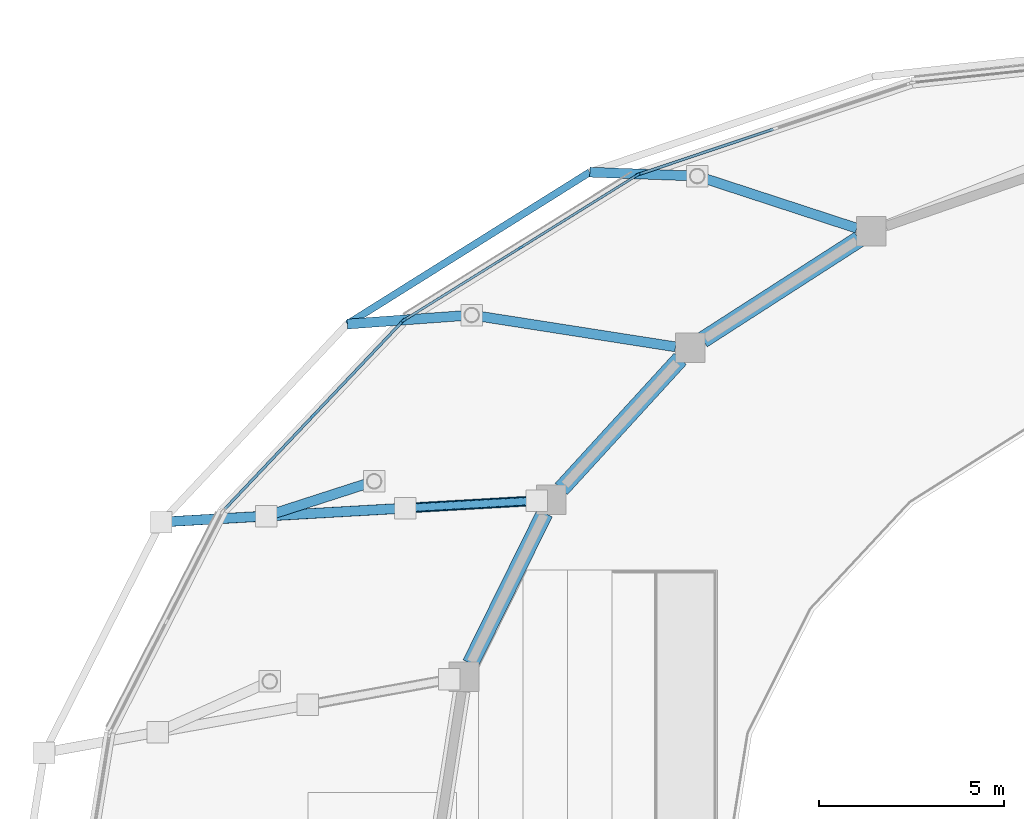
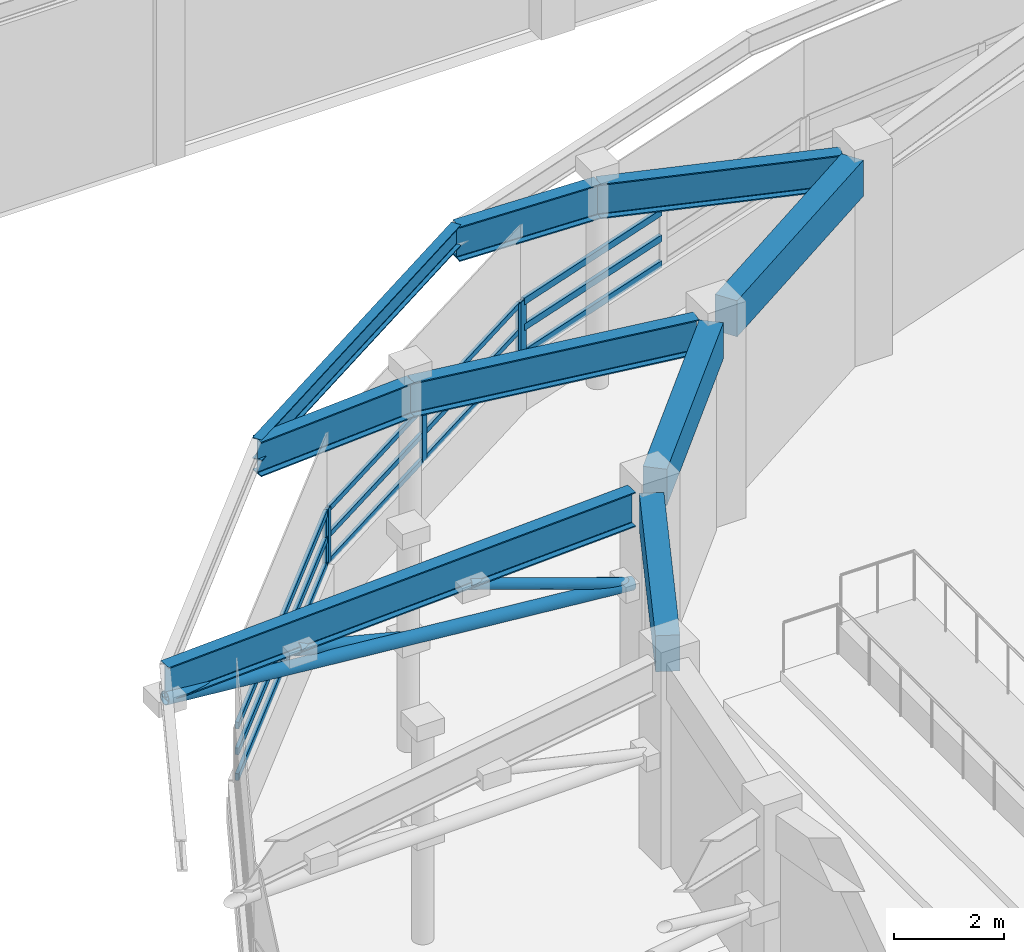
# One storey, part 16 of 58: 24 members, 9 beams, 3 elements without a shape of their own.
"""IFC4 building model written with IfcOpenShell, lengths in metres."""

from ifc_helpers import new_model, si_unit, direction, frame, origin, origin_2d, place, context, subcontext, project, spatial, rectangle, hollow_circle, i_section, extrude, material, material_profile, profile_set, type_object, element, aggregate, save


model = new_model("IFC4")

# Units and contexts
model_context = context("Model", 3, precision=1e-05, world=origin(), true_north=direction((0.0, 1.0)))
body_context = subcontext(model_context, "Body", "Model", "MODEL_VIEW")
ifc_project = project(units=[si_unit("LENGTHUNIT", "METRE"), si_unit("AREAUNIT", "SQUARE_METRE"), si_unit("VOLUMEUNIT", "CUBIC_METRE"), si_unit("PLANEANGLEUNIT", "RADIAN"), si_unit("MASSUNIT", "GRAM", prefix="KILO")], contexts=[model_context])

# Site, building, storey
site_placement = place(None, origin())
site = spatial("IfcSite", under=ifc_project, at=site_placement, CompositionType="ELEMENT")
building_placement = place(site_placement, origin())
building = spatial("IfcBuilding", under=site, at=building_placement, Name="Parian Resonance Hall", CompositionType="ELEMENT")
storey_placement = place(building_placement, frame((0.0, 0.0, 10.199951171875)))
storey = spatial("IfcBuildingStorey", under=building, at=storey_placement, Name="L02", CompositionType="ELEMENT", Elevation=10.199951171875)

# Beams
ifc_material_1 = material(Name="Concrete C40/50", Category="concrete")
ifc_material_profile_1 = material_profile(ifc_material_1, rectangle(XDim=0.449951171875, YDim=0.800048828125, at=origin_2d()), Name="RC-BM-450x800")
ifc_profile_set_1 = profile_set([ifc_material_profile_1], Name="Concrete C40/50")
beam_type_1 = type_object("IfcBeamType", Name="BM-RC450x800", PredefinedType="USERDEFINED", material=ifc_profile_set_1)
beam_1_placement = place(storey_placement, frame((31.86376953125, 60.930908203125, 4.130126953125), z_axis=(-0.840822266108, -0.541311293819, 0.0), x_axis=(0.541311293819, -0.840822266108, 0.0)))
element("IfcBeam", 1, at=beam_1_placement, inside=storey, type_object=beam_type_1, Name="Concert hall drum ring beam L02-09", ObjectType="GIRDER", PredefinedType="USERDEFINED", context=body_context, shape_type="SweptSolid", body=[
    extrude(rectangle(XDim=0.449951171875, YDim=0.800048828125, at=origin_2d()), origin(), (0.0, 0.0, 1.0), 5.012939453125),
])
beam_2_placement = place(storey_placement, frame((27.042236328125, 57.70556640625, 4.130126953125), z_axis=(-0.674892190981, -0.737916343872, 0.0), x_axis=(0.737916343872, -0.674892190981, 0.0)))
element("IfcBeam", 2, at=beam_2_placement, inside=storey, type_object=beam_type_1, Name="Concert hall drum ring beam L02-10", ObjectType="GIRDER", PredefinedType="USERDEFINED", context=body_context, shape_type="SweptSolid", body=[
    extrude(rectangle(XDim=0.449951171875, YDim=0.800048828125, at=origin_2d()), origin(), (0.0, 0.0, 1.0), 4.757080078125),
])
beam_3_placement = place(storey_placement, frame((23.384765625, 53.541259765625, 4.130126953125), z_axis=(-0.442697851544, -0.896670849441, 0.0), x_axis=(0.896670849441, -0.442697851544, 0.0)))
element("IfcBeam", 3, at=beam_3_placement, inside=storey, type_object=beam_type_1, Name="Concert hall drum ring beam L02-11", ObjectType="GIRDER", PredefinedType="USERDEFINED", context=body_context, shape_type="SweptSolid", body=[
    extrude(rectangle(XDim=0.449951171875, YDim=0.800048828125, at=origin_2d()), origin(), (0.0, 0.0, 1.0), 4.525390625),
])
ifc_material_2 = material(Name="Steel S355", Category="steel")
ifc_material_profile_2 = material_profile(ifc_material_2, i_section(OverallWidth=0.194091796875, OverallDepth=0.468994140625, WebThickness=0.0126953125, FlangeThickness=0.0205078125, FilletRadius=0.01513671875, at=origin_2d()), Name="W460x106")
ifc_profile_set_2 = profile_set([ifc_material_profile_2], Name="Steel S355")
beam_type_2 = type_object("IfcBeamType", Name="BM-W460x106", PredefinedType="SPANDREL", material=ifc_profile_set_2)
beam_4_placement = place(storey_placement, frame((24.60009765625, 62.743408203125, 4.265625), z_axis=(-0.847434839889, -0.530899418103, 0.0), x_axis=(0.530899418103, -0.847434839889, 0.0)))
element("IfcBeam", 4, at=beam_4_placement, inside=storey, type_object=beam_type_2, Name="Elliptical R3 perimeter spandrel beam 09", PredefinedType="SPANDREL", context=body_context, shape_type="SweptSolid", body=[
    extrude(i_section(OverallWidth=0.194091796875, OverallDepth=0.468994140625, WebThickness=0.0126953125, FlangeThickness=0.0205078125, FilletRadius=0.01513671875, at=origin_2d()), origin(), (0.0, 0.0, 1.0), 7.722900390625),
])
ifc_material_3 = material(Name="Steel S355", Category="steel")
ifc_material_profile_3 = material_profile(ifc_material_3, i_section(OverallWidth=0.26806640625, OverallDepth=0.77001953125, WebThickness=0.015625, FlangeThickness=0.025390625, FilletRadius=0.020263671875, at=origin_2d()), Name="W760x196")
ifc_profile_set_3 = profile_set([ifc_material_profile_3], Name="Steel S355")
beam_type_3 = type_object("IfcBeamType", Name="CG3 W760x196", PredefinedType="USERDEFINED", material=ifc_profile_set_3)
beam_5_placement = place(storey_placement, frame((31.80859375, 61.2294921875, 4.114990234375), z_axis=(-0.950487983076, 0.310761313596, 0.0), x_axis=(-0.310761313596, -0.950487983076, 0.0)))
element("IfcBeam", 5, at=beam_5_placement, inside=storey, type_object=beam_type_3, Name="Radial ring back-span girder R3-09", ObjectType="GIRDER", PredefinedType="USERDEFINED", context=body_context, shape_type="SweptSolid", body=[
    extrude(i_section(OverallWidth=0.26806640625, OverallDepth=0.77001953125, WebThickness=0.015625, FlangeThickness=0.025390625, FilletRadius=0.020263671875, at=origin_2d()), origin(), (0.0, 0.0, 1.0), 4.532958984375),
])
beam_6_placement = place(storey_placement, frame((27.5, 62.63818359375, 4.114990234375), z_axis=(-0.999342328074, 0.036261705961, 0.0), x_axis=(-0.036261705961, -0.999342328074, 0.0)))
element("IfcBeam", 6, at=beam_6_placement, inside=storey, type_object=beam_type_3, Name="Radial ring cantilever girder R3-09", ObjectType="GIRDER", PredefinedType="USERDEFINED", context=body_context, shape_type="SweptSolid", body=[
    extrude(i_section(OverallWidth=0.26806640625, OverallDepth=0.77001953125, WebThickness=0.015625, FlangeThickness=0.025390625, FilletRadius=0.020263671875, at=origin_2d()), origin(), (0.0, 0.0, 1.0), 2.90185546875),
])
beam_7_placement = place(storey_placement, frame((26.913330078125, 58.0283203125, 4.114990234375), z_axis=(-0.988021435153, 0.154316699283, 0.0), x_axis=(-0.154316699283, -0.988021435153, 0.0)))
element("IfcBeam", 7, at=beam_7_placement, inside=storey, type_object=beam_type_3, Name="Radial ring back-span girder R3-10", ObjectType="GIRDER", PredefinedType="USERDEFINED", context=body_context, shape_type="SweptSolid", body=[
    extrude(i_section(OverallWidth=0.26806640625, OverallDepth=0.77001953125, WebThickness=0.015625, FlangeThickness=0.025390625, FilletRadius=0.020263671875, at=origin_2d()), origin(), (0.0, 0.0, 1.0), 5.56884765625),
])
beam_8_placement = place(storey_placement, frame((21.4111328125, 58.8876953125, 4.114990234375), z_axis=(-0.997358653776, -0.072634122403, 0.0), x_axis=(0.072634122403, -0.997358653776, 0.0)))
element("IfcBeam", 8, at=beam_8_placement, inside=storey, type_object=beam_type_3, Name="Radial ring cantilever girder R3-10", ObjectType="GIRDER", PredefinedType="USERDEFINED", context=body_context, shape_type="SweptSolid", body=[
    extrude(i_section(OverallWidth=0.26806640625, OverallDepth=0.77001953125, WebThickness=0.015625, FlangeThickness=0.025390625, FilletRadius=0.020263671875, at=origin_2d()), origin(), (0.0, 0.0, 1.0), 3.364501953125),
])
beam_9_placement = place(storey_placement, frame((23.162353515625, 53.877197265625, 4.114990234375), z_axis=(-0.998380485395, -0.056889422409, 0.0), x_axis=(0.056889422409, -0.998380485395, 0.0)))
element("IfcBeam", 9, at=beam_9_placement, inside=storey, type_object=beam_type_3, Name="Radial ring cantilever girder R3-11", ObjectType="GIRDER", PredefinedType="USERDEFINED", context=body_context, shape_type="SweptSolid", body=[
    extrude(i_section(OverallWidth=0.26806640625, OverallDepth=0.77001953125, WebThickness=0.015625, FlangeThickness=0.025390625, FilletRadius=0.020263671875, at=origin_2d()), origin(), (0.0, 0.0, 1.0), 10.14501953125),
])

# Curtain wall, members
ifc_material_4 = material(Name="Bronze-anodised aluminium frame", Category="aluminium")
curtain_wall_type_1 = type_object("IfcCurtainWallType", Name="CW-SYS-04", PredefinedType="NOTDEFINED", material=ifc_material_4)
curtain_wall_1_placement = place(storey_placement, origin())
curtain_wall_1 = element("IfcCurtainWall", 10, at=curtain_wall_1_placement, inside=storey, type_object=curtain_wall_type_1, Name="Elliptical R2 recessed strip curtain wall 09", PredefinedType="NOTDEFINED")
ifc_material_5 = material(Name="Bronze-anodised aluminium frame", Category="aluminium")
ifc_material_profile_4 = material_profile(ifc_material_5, rectangle(XDim=0.06494140625, YDim=0.159912109375, at=origin_2d()), Name="CWM-65x160")
ifc_profile_set_4 = profile_set([ifc_material_profile_4], Name="Bronze-anodised aluminium frame")
member_type_1 = type_object("IfcMemberType", Name="CWM-65x160", PredefinedType="MULLION", material=ifc_profile_set_4)
member_1_placement = place(storey_placement, frame((19.590087890625, 58.75341796875, 1.14208984375), z_axis=(0.0, 0.0, 1.0), x_axis=(-0.528095800526, 0.849184800539, 0.0)))
member_1 = element("IfcMember", 11, at=member_1_placement, type_object=member_type_1, Name="CW-04 mullion 1", PredefinedType="MULLION", context=body_context, shape_type="SweptSolid", body=[
    extrude(rectangle(XDim=0.06494140625, YDim=0.159912109375, at=origin_2d()), origin(), (0.0, 0.0, 1.0), 1.218017578125),
])
member_2_placement = place(storey_placement, frame((22.731201171875, 60.706787109375, 1.14208984375), z_axis=(0.0, 0.0, 1.0), x_axis=(-0.528095800526, 0.849184800539, 0.0)))
member_2 = element("IfcMember", 12, at=member_2_placement, type_object=member_type_1, Name="CW-04 mullion 2", PredefinedType="MULLION", context=body_context, shape_type="SweptSolid", body=[
    extrude(rectangle(XDim=0.06494140625, YDim=0.159912109375, at=origin_2d()), origin(), (0.0, 0.0, 1.0), 1.218017578125),
])
member_3_placement = place(storey_placement, frame((25.872314453125, 62.66015625, 1.14208984375), z_axis=(0.0, 0.0, 1.0), x_axis=(-0.528095800526, 0.849184800539, 0.0)))
member_3 = element("IfcMember", 13, at=member_3_placement, type_object=member_type_1, Name="CW-04 mullion 3", PredefinedType="MULLION", context=body_context, shape_type="SweptSolid", body=[
    extrude(rectangle(XDim=0.06494140625, YDim=0.159912109375, at=origin_2d()), origin(), (0.0, 0.0, 1.0), 1.218017578125),
])

# Curtain wall, member
ifc_material_6 = material(Name="Bronze-anodised aluminium frame", Category="aluminium")
curtain_wall_type_2 = type_object("IfcCurtainWallType", Name="CW-SYS-03", PredefinedType="NOTDEFINED", material=ifc_material_6)
curtain_wall_2_placement = place(storey_placement, origin())
curtain_wall_2 = element("IfcCurtainWall", 14, at=curtain_wall_2_placement, inside=storey, type_object=curtain_wall_type_2, Name="Elliptical R2 recessed strip curtain wall 08", PredefinedType="NOTDEFINED")
ifc_material_7 = material(Name="Bronze-anodised aluminium frame", Category="aluminium")
ifc_material_profile_5 = material_profile(ifc_material_7, rectangle(XDim=0.074951171875, YDim=0.199951171875, at=origin_2d()), Name="CWM-75x200")
ifc_profile_set_5 = profile_set([ifc_material_profile_5], Name="Bronze-anodised aluminium frame")
member_type_2 = type_object("IfcMemberType", Name="CWM-75x200", PredefinedType="MULLION", material=ifc_profile_set_5)
member_4_placement = place(storey_placement, frame((25.935546875, 62.689453125, 1.14208984375), z_axis=(0.0, 0.0, 1.0), x_axis=(-0.318257900904, 0.948004171147, 0.0)))
member_4 = element("IfcMember", 15, at=member_4_placement, type_object=member_type_2, Name="CW-03 mullion 1", PredefinedType="MULLION", context=body_context, shape_type="SweptSolid", body=[
    extrude(rectangle(XDim=0.074951171875, YDim=0.199951171875, at=origin_2d()), origin(), (0.0, 0.0, 1.0), 1.218017578125),
])

# Curtain wall, members
ifc_material_8 = material(Name="Bronze-anodised aluminium frame", Category="aluminium")
curtain_wall_type_3 = type_object("IfcCurtainWallType", Name="CW-SYS-05", PredefinedType="NOTDEFINED", material=ifc_material_8)
curtain_wall_3_placement = place(storey_placement, origin())
curtain_wall_3 = element("IfcCurtainWall", 16, at=curtain_wall_3_placement, inside=storey, type_object=curtain_wall_type_3, Name="Elliptical R2 recessed strip curtain wall 10", PredefinedType="NOTDEFINED")
member_5_placement = place(storey_placement, frame((17.131103515625, 56.168212890625, 1.14208984375), z_axis=(0.0, 0.0, 1.0), x_axis=(-0.72616255486, 0.687523049737, 0.0)))
member_5 = element("IfcMember", 17, at=member_5_placement, type_object=member_type_2, Name="CW-05 mullion 2", PredefinedType="MULLION", context=body_context, shape_type="SweptSolid", body=[
    extrude(rectangle(XDim=0.074951171875, YDim=0.199951171875, at=origin_2d()), origin(), (0.0, 0.0, 1.0), 1.218017578125),
])
member_6_placement = place(storey_placement, frame((19.53662109375, 58.708984375, 1.14208984375), z_axis=(0.0, 0.0, 1.0), x_axis=(-0.72616255486, 0.687523049737, 0.0)))
member_6 = element("IfcMember", 18, at=member_6_placement, type_object=member_type_2, Name="CW-05 mullion 3", PredefinedType="MULLION", context=body_context, shape_type="SweptSolid", body=[
    extrude(rectangle(XDim=0.074951171875, YDim=0.199951171875, at=origin_2d()), origin(), (0.0, 0.0, 1.0), 1.218017578125),
])

# Member
ifc_material_9 = material(Name="Bronze-anodised aluminium frame", Category="aluminium")
ifc_material_profile_6 = material_profile(ifc_material_9, rectangle(XDim=0.06494140625, YDim=0.1201171875, at=origin_2d()), Name="CWT-65x120")
ifc_profile_set_6 = profile_set([ifc_material_profile_6], Name="Bronze-anodised aluminium frame")
member_type_3 = type_object("IfcMemberType", Name="CWT-65x120", PredefinedType="USERDEFINED", material=ifc_profile_set_6)
member_7_placement = place(storey_placement, frame((19.61767578125, 58.7705078125, 1.174560546875), z_axis=(0.849173773771, 0.528113531298, 0.0), x_axis=(-0.528113531298, 0.849173773771, 0.0)))
member_7 = element("IfcMember", 19, at=member_7_placement, type_object=member_type_3, Name="CW-04 transom 1.1", ObjectType="TRANSOM", PredefinedType="USERDEFINED", context=body_context, shape_type="SweptSolid", body=[
    extrude(rectangle(XDim=0.06494140625, YDim=0.1201171875, at=origin_2d()), origin(), (0.0, 0.0, 1.0), 3.634033203125),
])

member_8_placement = place(storey_placement, frame((19.61767578125, 58.7705078125, 1.75), z_axis=(0.849173773771, 0.528113531298, 0.0), x_axis=(-0.528113531298, 0.849173773771, 0.0)))
member_8 = element("IfcMember", 20, at=member_8_placement, type_object=member_type_3, Name="CW-04 transom 1.2", ObjectType="TRANSOM", PredefinedType="USERDEFINED", context=body_context, shape_type="SweptSolid", body=[
    extrude(rectangle(XDim=0.06494140625, YDim=0.1201171875, at=origin_2d()), origin(), (0.0, 0.0, 1.0), 3.634033203125),
])

member_9_placement = place(storey_placement, frame((19.61767578125, 58.7705078125, 2.32763671875), z_axis=(0.849173773771, 0.528113531298, 0.0), x_axis=(-0.528113531298, 0.849173773771, 0.0)))
member_9 = element("IfcMember", 21, at=member_9_placement, type_object=member_type_3, Name="CW-04 transom 1.3", ObjectType="TRANSOM", PredefinedType="USERDEFINED", context=body_context, shape_type="SweptSolid", body=[
    extrude(rectangle(XDim=0.06494140625, YDim=0.1201171875, at=origin_2d()), origin(), (0.0, 0.0, 1.0), 3.634033203125),
])

member_10_placement = place(storey_placement, frame((22.7587890625, 60.723876953125, 1.174560546875), z_axis=(0.849173773771, 0.528113531298, 0.0), x_axis=(-0.528113531298, 0.849173773771, 0.0)))
member_10 = element("IfcMember", 22, at=member_10_placement, type_object=member_type_3, Name="CW-04 transom 2.1", ObjectType="TRANSOM", PredefinedType="USERDEFINED", context=body_context, shape_type="SweptSolid", body=[
    extrude(rectangle(XDim=0.06494140625, YDim=0.1201171875, at=origin_2d()), origin(), (0.0, 0.0, 1.0), 3.634033203125),
])

member_11_placement = place(storey_placement, frame((22.7587890625, 60.723876953125, 1.75), z_axis=(0.849173773771, 0.528113531298, 0.0), x_axis=(-0.528113531298, 0.849173773771, 0.0)))
member_11 = element("IfcMember", 23, at=member_11_placement, type_object=member_type_3, Name="CW-04 transom 2.2", ObjectType="TRANSOM", PredefinedType="USERDEFINED", context=body_context, shape_type="SweptSolid", body=[
    extrude(rectangle(XDim=0.06494140625, YDim=0.1201171875, at=origin_2d()), origin(), (0.0, 0.0, 1.0), 3.634033203125),
])

member_12_placement = place(storey_placement, frame((22.7587890625, 60.723876953125, 2.32763671875), z_axis=(0.849173773771, 0.528113531298, 0.0), x_axis=(-0.528113531298, 0.849173773771, 0.0)))
member_12 = element("IfcMember", 24, at=member_12_placement, type_object=member_type_3, Name="CW-04 transom 2.3", ObjectType="TRANSOM", PredefinedType="USERDEFINED", context=body_context, shape_type="SweptSolid", body=[
    extrude(rectangle(XDim=0.06494140625, YDim=0.1201171875, at=origin_2d()), origin(), (0.0, 0.0, 1.0), 3.634033203125),
])

aggregate(curtain_wall_1, [member_1, member_2, member_3, member_7, member_8, member_9, member_10, member_11, member_12])

ifc_material_10 = material(Name="Bronze-anodised aluminium frame", Category="aluminium")
ifc_material_profile_7 = material_profile(ifc_material_10, rectangle(XDim=0.074951171875, YDim=0.14990234375, at=origin_2d()), Name="CWT-75x150")
ifc_profile_set_7 = profile_set([ifc_material_profile_7], Name="Bronze-anodised aluminium frame")
member_type_4 = type_object("IfcMemberType", Name="CWT-75x150", PredefinedType="USERDEFINED", material=ifc_profile_set_7)
member_13_placement = place(storey_placement, frame((25.97119140625, 62.701171875, 1.179443359375), z_axis=(0.94798991759, 0.318300355242, 0.0), x_axis=(-0.318300355242, 0.94798991759, 0.0)))
member_13 = element("IfcMember", 25, at=member_13_placement, type_object=member_type_4, Name="CW-03 transom 1.1", ObjectType="TRANSOM", PredefinedType="USERDEFINED", context=body_context, shape_type="SweptSolid", body=[
    extrude(rectangle(XDim=0.074951171875, YDim=0.14990234375, at=origin_2d()), origin(), (0.0, 0.0, 1.0), 3.77978515625),
])

member_14_placement = place(storey_placement, frame((25.97119140625, 62.701171875, 1.75), z_axis=(0.94798991759, 0.318300355242, 0.0), x_axis=(-0.318300355242, 0.94798991759, 0.0)))
member_14 = element("IfcMember", 26, at=member_14_placement, type_object=member_type_4, Name="CW-03 transom 1.2", ObjectType="TRANSOM", PredefinedType="USERDEFINED", context=body_context, shape_type="SweptSolid", body=[
    extrude(rectangle(XDim=0.074951171875, YDim=0.14990234375, at=origin_2d()), origin(), (0.0, 0.0, 1.0), 3.77978515625),
])

member_15_placement = place(storey_placement, frame((25.97119140625, 62.701171875, 2.322509765625), z_axis=(0.94798991759, 0.318300355242, 0.0), x_axis=(-0.318300355242, 0.94798991759, 0.0)))
member_15 = element("IfcMember", 27, at=member_15_placement, type_object=member_type_4, Name="CW-03 transom 1.3", ObjectType="TRANSOM", PredefinedType="USERDEFINED", context=body_context, shape_type="SweptSolid", body=[
    extrude(rectangle(XDim=0.074951171875, YDim=0.14990234375, at=origin_2d()), origin(), (0.0, 0.0, 1.0), 3.77978515625),
])

aggregate(curtain_wall_2, [member_4, member_13, member_14, member_15])

member_16_placement = place(storey_placement, frame((14.751220703125, 53.654541015625, 1.179443359375), z_axis=(0.687519146409, 0.72616625047, 0.0), x_axis=(-0.72616625047, 0.687519146409, 0.0)))
member_16 = element("IfcMember", 28, at=member_16_placement, type_object=member_type_4, Name="CW-05 transom 1.1", ObjectType="TRANSOM", PredefinedType="USERDEFINED", context=body_context, shape_type="SweptSolid", body=[
    extrude(rectangle(XDim=0.074951171875, YDim=0.14990234375, at=origin_2d()), origin(), (0.0, 0.0, 1.0), 3.423828125),
])

member_17_placement = place(storey_placement, frame((14.751220703125, 53.654541015625, 1.75), z_axis=(0.687519146409, 0.72616625047, 0.0), x_axis=(-0.72616625047, 0.687519146409, 0.0)))
member_17 = element("IfcMember", 29, at=member_17_placement, type_object=member_type_4, Name="CW-05 transom 1.2", ObjectType="TRANSOM", PredefinedType="USERDEFINED", context=body_context, shape_type="SweptSolid", body=[
    extrude(rectangle(XDim=0.074951171875, YDim=0.14990234375, at=origin_2d()), origin(), (0.0, 0.0, 1.0), 3.423828125),
])

member_18_placement = place(storey_placement, frame((14.751220703125, 53.654541015625, 2.322509765625), z_axis=(0.687519146409, 0.72616625047, 0.0), x_axis=(-0.72616625047, 0.687519146409, 0.0)))
member_18 = element("IfcMember", 30, at=member_18_placement, type_object=member_type_4, Name="CW-05 transom 1.3", ObjectType="TRANSOM", PredefinedType="USERDEFINED", context=body_context, shape_type="SweptSolid", body=[
    extrude(rectangle(XDim=0.074951171875, YDim=0.14990234375, at=origin_2d()), origin(), (0.0, 0.0, 1.0), 3.423828125),
])

member_19_placement = place(storey_placement, frame((17.15673828125, 56.1953125, 1.179443359375), z_axis=(0.687556743813, 0.726130652182, 0.0), x_axis=(-0.726130652182, 0.687556743813, 0.0)))
member_19 = element("IfcMember", 31, at=member_19_placement, type_object=member_type_4, Name="CW-05 transom 2.1", ObjectType="TRANSOM", PredefinedType="USERDEFINED", context=body_context, shape_type="SweptSolid", body=[
    extrude(rectangle(XDim=0.074951171875, YDim=0.14990234375, at=origin_2d()), origin(), (0.0, 0.0, 1.0), 3.424072265625),
])

member_20_placement = place(storey_placement, frame((17.15673828125, 56.1953125, 1.75), z_axis=(0.687556743813, 0.726130652182, 0.0), x_axis=(-0.726130652182, 0.687556743813, 0.0)))
member_20 = element("IfcMember", 32, at=member_20_placement, type_object=member_type_4, Name="CW-05 transom 2.2", ObjectType="TRANSOM", PredefinedType="USERDEFINED", context=body_context, shape_type="SweptSolid", body=[
    extrude(rectangle(XDim=0.074951171875, YDim=0.14990234375, at=origin_2d()), origin(), (0.0, 0.0, 1.0), 3.424072265625),
])

member_21_placement = place(storey_placement, frame((17.15673828125, 56.1953125, 2.322509765625), z_axis=(0.687556743813, 0.726130652182, 0.0), x_axis=(-0.726130652182, 0.687556743813, 0.0)))
member_21 = element("IfcMember", 33, at=member_21_placement, type_object=member_type_4, Name="CW-05 transom 2.3", ObjectType="TRANSOM", PredefinedType="USERDEFINED", context=body_context, shape_type="SweptSolid", body=[
    extrude(rectangle(XDim=0.074951171875, YDim=0.14990234375, at=origin_2d()), origin(), (0.0, 0.0, 1.0), 3.424072265625),
])

aggregate(curtain_wall_3, [member_5, member_6, member_16, member_17, member_18, member_19, member_20, member_21])

# Members
ifc_material_11 = material(Name="Hollow structural steel S355", Category="steel")
ifc_material_profile_8 = material_profile(ifc_material_11, hollow_circle(Radius=0.109619140625, WallThickness=0.010009765625, at=origin_2d()), Name="CHS219.1x10")
ifc_profile_set_8 = profile_set([ifc_material_profile_8], Name="Hollow structural steel S355")
member_type_5 = type_object("IfcMemberType", Name="MEM-CHS219", PredefinedType="CHORD", material=ifc_profile_set_8)
member_22_placement = place(storey_placement, frame((23.162353515625, 53.877197265625, 2.400146484375), z_axis=(-0.93321867392, -0.053152330808, 0.355355788437), x_axis=(0.056863765166, -0.998381947058, 0.0)))
element("IfcMember", 34, at=member_22_placement, inside=storey, type_object=member_type_5, Name="Elliptical ring truss inner web R3-11", PredefinedType="CHORD", context=body_context, shape_type="SweptSolid", body=[
    extrude(hollow_circle(Radius=0.109619140625, WallThickness=0.010009765625, at=origin_2d()), origin(), (0.0, 0.0, 1.0), 3.798583984375),
])
ifc_material_12 = material(Name="Hollow structural steel S355", Category="steel")
ifc_material_profile_9 = material_profile(ifc_material_12, hollow_circle(Radius=0.136474609375, WallThickness=0.012451171875, at=origin_2d()), Name="CHS273x12.5")
ifc_profile_set_9 = profile_set([ifc_material_profile_9], Name="Hollow structural steel S355")
member_type_6 = type_object("IfcMemberType", Name="MEM-CHS273", PredefinedType="CHORD", material=ifc_profile_set_9)
member_23_placement = place(storey_placement, frame((23.162353515625, 53.877197265625, 2.400146484375), z_axis=(-0.989658663504, -0.056392438126, 0.131892466327), x_axis=(0.056889422409, -0.998380485395, 0.0)))
element("IfcMember", 35, at=member_23_placement, inside=storey, type_object=member_type_6, Name="Elliptical ring truss lower chord R3-11", PredefinedType="CHORD", context=body_context, shape_type="SweptSolid", body=[
    extrude(hollow_circle(Radius=0.136474609375, WallThickness=0.012451171875, at=origin_2d()), origin(), (0.0, 0.0, 1.0), 10.234619140625),
])
ifc_material_13 = material(Name="Hollow structural steel S355", Category="steel")
ifc_material_profile_10 = material_profile(ifc_material_13, hollow_circle(Radius=0.136474609375, WallThickness=0.012451171875, at=origin_2d()), Name="CHS273x12.5")
ifc_profile_set_10 = profile_set([ifc_material_profile_10], Name="Hollow structural steel S355")
member_type_7 = type_object("IfcMemberType", Name="MEM-STRUT273", PredefinedType="BRACE", material=ifc_profile_set_10)
member_24_placement = place(storey_placement, frame((18.778076171875, 54.39990234375, 2.400146484375), z_axis=(-0.870564358876, -0.280834284493, 0.404041831631), x_axis=(0.307009782354, -0.951706358883, 0.0)))
element("IfcMember", 36, at=member_24_placement, inside=storey, type_object=member_type_7, Name="Elliptical ring raking strut R3-11", PredefinedType="BRACE", context=body_context, shape_type="SweptSolid", body=[
    extrude(hollow_circle(Radius=0.136474609375, WallThickness=0.012451171875, at=origin_2d()), origin(), (0.0, 0.0, 1.0), 3.3408203125),
])

save(model, "model.ifc")
